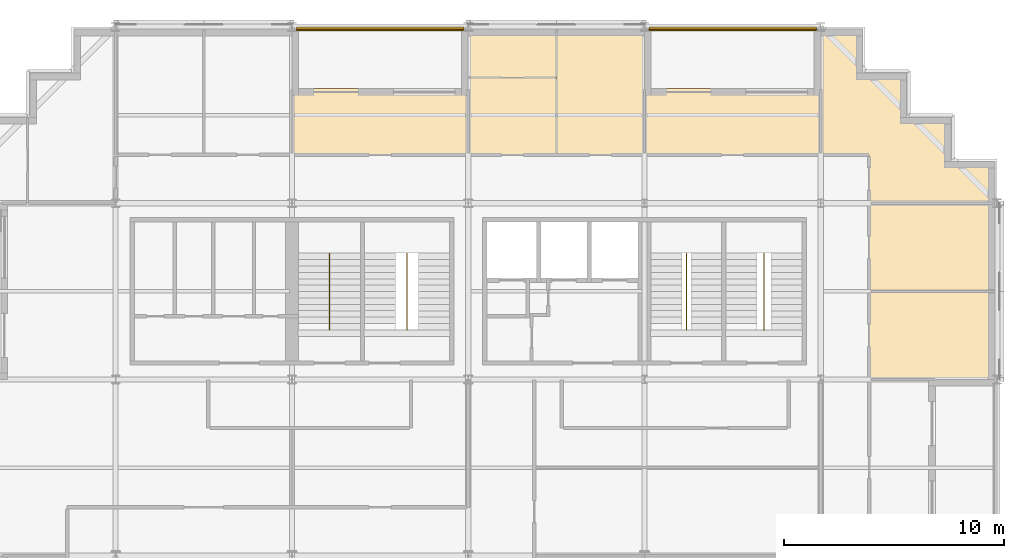
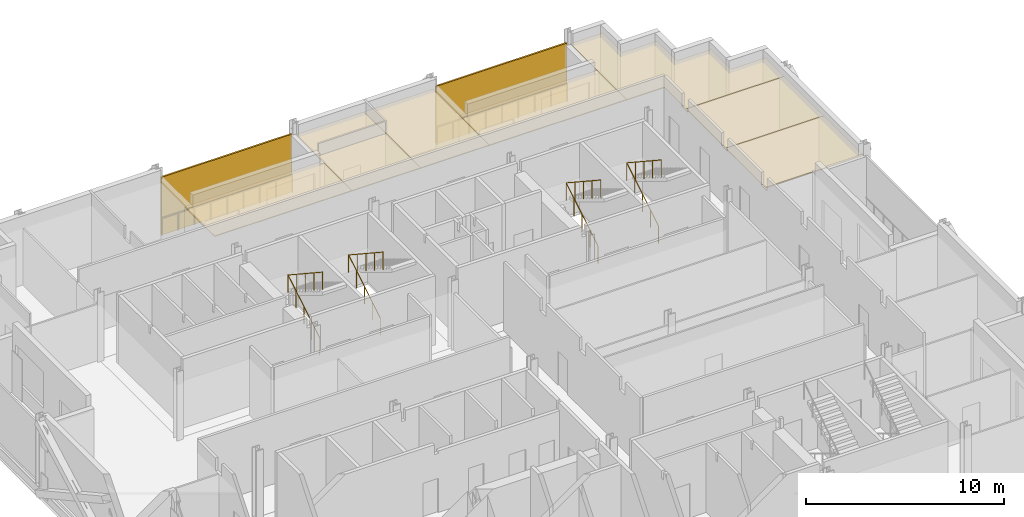
# One storey, part 14 of 14: 8 coverings, 6 railings, 2 shading devices.
"""IFC4 building model written with IfcOpenShell, lengths in metres."""

from ifc_helpers import new_model, si_unit, direction, frame, origin, origin_2d, place, context, subcontext, project, spatial, polyline, rectangle, circle, outline, extrude, material, layer, layer_set, type_object, element, save


model = new_model("IFC4")

# Units and contexts
model_context = context("Model", 3, precision=1e-05, world=origin(), true_north=direction((0.0, 1.0)))
body_context = subcontext(model_context, "Body", "Model", "MODEL_VIEW")
ifc_project = project(units=[si_unit("LENGTHUNIT", "METRE"), si_unit("AREAUNIT", "SQUARE_METRE"), si_unit("VOLUMEUNIT", "CUBIC_METRE"), si_unit("PLANEANGLEUNIT", "RADIAN"), si_unit("MASSUNIT", "GRAM", prefix="KILO")], contexts=[model_context])

# Site, building, storey
site_placement = place(None, origin())
site = spatial("IfcSite", under=ifc_project, at=site_placement, CompositionType="ELEMENT")
building_placement = place(site_placement, origin())
building = spatial("IfcBuilding", under=site, at=building_placement, Name="Immortelle Media Tower", CompositionType="ELEMENT")
storey_placement = place(building_placement, frame((0.0, 0.0, 96.39990234375)))
storey = spatial("IfcBuildingStorey", under=building, at=storey_placement, Name="L18", CompositionType="ELEMENT", Elevation=96.39990234375)

# Railings
ifc_material_1 = material(Name="Powder-coated aluminium fretwork panel, laminated glass backing", Category="aluminium")
railing_type_1 = type_object("IfcRailingType", Name="Fretwork balustrade 1100", PredefinedType="BALUSTRADE", material=ifc_material_1)
railing_1_placement = place(storey_placement, frame((39.8134765625, 47.860107421875, 0.0)))
element("IfcRailing", 1, at=railing_1_placement, inside=storey, type_object=railing_type_1, Name="Fretwork balustrade L18 N0", PredefinedType="BALUSTRADE", context=body_context, shape_type="SweptSolid", body=[
    extrude(circle(Radius=0.02490234375, at=origin_2d()), frame((0.0, 0.0, 1.0751953125), z_axis=(-1.0, 0.0, 0.0), x_axis=(0.0, -1.0, 0.0)), (0.0, 0.0, 1.0), 7.614013671875),
    extrude(circle(Radius=0.02001953125, at=origin_2d()), origin(), (0.0, 0.0, 1.0), 1.050048828125),
    extrude(circle(Radius=0.02001953125, at=origin_2d()), frame((-0.95166015625, 0.0, 0.0)), (0.0, 0.0, 1.0), 1.050048828125),
    extrude(circle(Radius=0.02001953125, at=origin_2d()), frame((-1.903564453125, 0.0, 0.0)), (0.0, 0.0, 1.0), 1.050048828125),
    extrude(circle(Radius=0.02001953125, at=origin_2d()), frame((-2.855224609375, 0.0, 0.0)), (0.0, 0.0, 1.0), 1.050048828125),
    extrude(circle(Radius=0.02001953125, at=origin_2d()), frame((-3.80712890625, 0.0, 0.0)), (0.0, 0.0, 1.0), 1.050048828125),
    extrude(circle(Radius=0.02001953125, at=origin_2d()), frame((-4.7587890625, 0.0, 0.0)), (0.0, 0.0, 1.0), 1.050048828125),
    extrude(circle(Radius=0.02001953125, at=origin_2d()), frame((-5.71044921875, 0.0, 0.0)), (0.0, 0.0, 1.0), 1.050048828125),
    extrude(circle(Radius=0.02001953125, at=origin_2d()), frame((-6.662353515625, 0.0, 0.0)), (0.0, 0.0, 1.0), 1.050048828125),
    extrude(circle(Radius=0.02001953125, at=origin_2d()), frame((-7.614013671875, 0.0, 0.0)), (0.0, 0.0, 1.0), 1.050048828125),
])
railing_2_placement = place(storey_placement, frame((23.800537109375, 47.860107421875, 0.0)))
element("IfcRailing", 2, at=railing_2_placement, inside=storey, type_object=railing_type_1, Name="Fretwork balustrade L18 N2", PredefinedType="BALUSTRADE", context=body_context, shape_type="SweptSolid", body=[
    extrude(circle(Radius=0.02490234375, at=origin_2d()), frame((0.0, 0.0, 1.0751953125), z_axis=(-1.0, 0.0, 0.0), x_axis=(0.0, -1.0, 0.0)), (0.0, 0.0, 1.0), 7.59765625),
    extrude(circle(Radius=0.02001953125, at=origin_2d()), origin(), (0.0, 0.0, 1.0), 1.050048828125),
    extrude(circle(Radius=0.02001953125, at=origin_2d()), frame((-0.94970703125, 0.0, 0.0)), (0.0, 0.0, 1.0), 1.050048828125),
    extrude(circle(Radius=0.02001953125, at=origin_2d()), frame((-1.8994140625, 0.0, 0.0)), (0.0, 0.0, 1.0), 1.050048828125),
    extrude(circle(Radius=0.02001953125, at=origin_2d()), frame((-2.84912109375, 0.0, 0.0)), (0.0, 0.0, 1.0), 1.050048828125),
    extrude(circle(Radius=0.02001953125, at=origin_2d()), frame((-3.798828125, 0.0, 0.0)), (0.0, 0.0, 1.0), 1.050048828125),
    extrude(circle(Radius=0.02001953125, at=origin_2d()), frame((-4.74853515625, 0.0, 0.0)), (0.0, 0.0, 1.0), 1.050048828125),
    extrude(circle(Radius=0.02001953125, at=origin_2d()), frame((-5.6982421875, 0.0, 0.0)), (0.0, 0.0, 1.0), 1.050048828125),
    extrude(circle(Radius=0.02001953125, at=origin_2d()), frame((-6.64794921875, 0.0, 0.0)), (0.0, 0.0, 1.0), 1.050048828125),
    extrude(circle(Radius=0.02001953125, at=origin_2d()), frame((-7.59765625, 0.0, 0.0)), (0.0, 0.0, 1.0), 1.050048828125),
])

# Shading devices
ifc_material_2 = material(Name="Pale aluminium louvre blades", Category="aluminium")
ifc_layer_1 = layer(ifc_material_2, 0.10009765625)
ifc_layer_set_1 = layer_set([ifc_layer_1], Name="Pale aluminium louvre blades")
shading_device_type = type_object("IfcShadingDeviceType", Name="Jalousie screen 100", PredefinedType="JALOUSIE", material=ifc_layer_set_1)
shading_device_1_placement = place(storey_placement, frame((36.006591796875, 47.949951171875, 0.0), z_axis=(0.0, 0.0, 1.0), x_axis=(-1.0, 0.0, 0.0)))
element("IfcShadingDevice", 3, at=shading_device_1_placement, inside=storey, type_object=shading_device_type, Name="Jalousie screen L18 N0", PredefinedType="JALOUSIE", context=body_context, shape_type="SweptSolid", body=[
    extrude(rectangle(XDim=7.614013671875, YDim=0.10009765625, at=origin_2d()), origin(), (0.0, 0.0, 1.0), 3.556884765625),
])
shading_device_2_placement = place(storey_placement, frame((20.001708984375, 47.949951171875, 0.0), z_axis=(0.0, 0.0, 1.0), x_axis=(-1.0, 0.0, 0.0)))
element("IfcShadingDevice", 4, at=shading_device_2_placement, inside=storey, type_object=shading_device_type, Name="Jalousie screen L18 N2", PredefinedType="JALOUSIE", context=body_context, shape_type="SweptSolid", body=[
    extrude(rectangle(XDim=7.597412109375, YDim=0.10009765625, at=origin_2d()), origin(), (0.0, 0.0, 1.0), 3.556884765625),
])

# Railings
ifc_material_3 = material(Name="Stainless steel AISI 316", Category="steel")
railing_type_2 = type_object("IfcRailingType", Name="Stair guard 1100", PredefinedType="GUARDRAIL", material=ifc_material_3)
for number, where, name in (
    (5, (17.699951171875, 34.5400390625, 0.176025390625), "Stair guard NW1"),
    (6, (21.22509765625, 34.5400390625, 0.176025390625), "Stair guard NW2"),
    (7, (33.89990234375, 34.5400390625, 0.176025390625), "Stair guard NE1"),
    (8, (37.425048828125, 34.5400390625, 0.176025390625), "Stair guard NE2"),
):
    element("IfcRailing", number, at=place(storey_placement, frame(where)), inside=storey, type_object=railing_type_2, Name=name, PredefinedType="GUARDRAIL", context=body_context, shape_type="SweptSolid", body=[
        extrude(circle(Radius=0.02392578125, at=origin_2d()), frame((0.0, 0.0, 1.076171875), z_axis=(0.0, 0.854872504309, 0.518838126371), x_axis=(-1.0, 0.0, 0.0)), (0.0, 0.0, 1.0), 3.7314453125),
        extrude(circle(Radius=0.02392578125, at=origin_2d()), frame((0.0, 3.18994140625, 3.01220703125), z_axis=(0.0, -0.835568629342, 0.549386080693), x_axis=(1.0, 0.0, 0.0)), (0.0, 0.0, 1.0), 4.164794921875),
        extrude(circle(Radius=0.02099609375, at=origin_2d()), origin(), (0.0, 0.0, 1.0), 1.052001953125),
        extrude(circle(Radius=0.02099609375, at=origin_2d()), frame((0.0, 0.79736328125, 0.48388671875)), (0.0, 0.0, 1.0), 1.052001953125),
        extrude(circle(Radius=0.02099609375, at=origin_2d()), frame((0.0, 1.594970703125, 0.968017578125)), (0.0, 0.0, 1.0), 1.052001953125),
        extrude(circle(Radius=0.02099609375, at=origin_2d()), frame((0.0, 2.392578125, 1.4521484375)), (0.0, 0.0, 1.0), 1.052001953125),
        extrude(circle(Radius=0.02099609375, at=origin_2d()), frame((0.0, 3.18994140625, 1.93603515625)), (0.0, 0.0, 1.0), 1.052001953125),
        extrude(circle(Radius=0.02099609375, at=origin_2d()), frame((0.0, 2.31982421875, 2.508056640625)), (0.0, 0.0, 1.0), 1.052001953125),
        extrude(circle(Radius=0.02099609375, at=origin_2d()), frame((0.0, 1.449951171875, 3.080078125)), (0.0, 0.0, 1.0), 1.052001953125),
        extrude(circle(Radius=0.02099609375, at=origin_2d()), frame((0.0, 0.580078125, 3.652099609375)), (0.0, 0.0, 1.0), 1.052001953125),
        extrude(circle(Radius=0.02099609375, at=origin_2d()), frame((0.0, -0.2900390625, 4.22412109375)), (0.0, 0.0, 1.0), 1.052001953125),
    ])

# Coverings
ifc_material_4 = material(Name="Mineral fibre tile ceiling")
ifc_layer_2 = layer(ifc_material_4, 0.050048828125)
ifc_layer_set_2 = layer_set([ifc_layer_2], Name="Mineral fibre tile ceiling")
covering_type = type_object("IfcCoveringType", Name="Suspended ceiling 50", PredefinedType="CEILING", material=ifc_layer_set_2)
covering_1_placement = place(storey_placement, frame((0.0, 0.0, 3.420166015625)))
element("IfcCovering", 9, at=covering_1_placement, inside=storey, type_object=covering_type, Name="Ceiling L18-023", PredefinedType="CEILING", context=body_context, shape_type="SweptSolid", body=[
    extrude(outline(polyline([(42.199951171875, 32.0), (42.199951171875, 36.0), (47.89990234375, 36.0), (47.89990234375, 32.0), (45.199951171875, 32.0), (42.199951171875, 32.0)])), origin(), (0.0, 0.0, 1.0), 0.050048828125),
])
covering_2_placement = place(storey_placement, frame((0.0, 0.0, 3.420166015625)))
element("IfcCovering", 10, at=covering_2_placement, inside=storey, type_object=covering_type, Name="Ceiling L18-024", PredefinedType="CEILING", context=body_context, shape_type="SweptSolid", body=[
    extrude(outline(polyline([(42.199951171875, 40.0), (47.89990234375, 40.0), (47.89990234375, 36.0), (42.199951171875, 36.0), (42.199951171875, 40.0)])), origin(), (0.0, 0.0, 1.0), 0.050048828125),
])
covering_3_placement = place(storey_placement, frame((0.0, 0.0, 3.420166015625)))
element("IfcCovering", 11, at=covering_3_placement, inside=storey, type_object=covering_type, Name="Ceiling L18-027", PredefinedType="CEILING", context=body_context, shape_type="SweptSolid", body=[
    extrude(outline(polyline([(42.199951171875, 40.0), (42.199951171875, 42.199951171875), (40.0, 42.199951171875), (40.0, 45.199951171875), (40.0, 47.89990234375), (41.89990234375, 47.89990234375), (41.89990234375, 45.89990234375), (43.89990234375, 45.89990234375), (43.89990234375, 43.89990234375), (45.89990234375, 43.89990234375), (45.89990234375, 41.89990234375), (47.89990234375, 41.89990234375), (47.89990234375, 40.0), (42.199951171875, 40.0)])), origin(), (0.0, 0.0, 1.0), 0.050048828125),
])
covering_4_placement = place(storey_placement, frame((0.0, 0.0, 3.420166015625)))
element("IfcCovering", 12, at=covering_4_placement, inside=storey, type_object=covering_type, Name="Ceiling L18-028", PredefinedType="CEILING", context=body_context, shape_type="SweptSolid", body=[
    extrude(outline(polyline([(16.0, 42.199951171875), (16.0, 45.199951171875), (24.0, 45.199951171875), (24.0, 42.199951171875), (16.0, 42.199951171875)])), origin(), (0.0, 0.0, 1.0), 0.050048828125),
])
covering_5_placement = place(storey_placement, frame((0.0, 0.0, 3.420166015625)))
element("IfcCovering", 13, at=covering_5_placement, inside=storey, type_object=covering_type, Name="Ceiling L18-029", PredefinedType="CEILING", context=body_context, shape_type="SweptSolid", body=[
    extrude(outline(polyline([(32.0, 42.199951171875), (32.0, 45.199951171875), (40.0, 45.199951171875), (40.0, 42.199951171875), (32.0, 42.199951171875)])), origin(), (0.0, 0.0, 1.0), 0.050048828125),
])
covering_6_placement = place(storey_placement, frame((0.0, 0.0, 3.420166015625)))
element("IfcCovering", 14, at=covering_6_placement, inside=storey, type_object=covering_type, Name="Ceiling L18-032", PredefinedType="CEILING", context=body_context, shape_type="SweptSolid", body=[
    extrude(outline(polyline([(24.0, 45.699951171875), (28.0, 45.699951171875), (28.0, 42.199951171875), (24.0, 42.199951171875), (24.0, 45.199951171875), (24.0, 45.699951171875)])), origin(), (0.0, 0.0, 1.0), 0.050048828125),
])
covering_7_placement = place(storey_placement, frame((0.0, 0.0, 3.420166015625)))
element("IfcCovering", 15, at=covering_7_placement, inside=storey, type_object=covering_type, Name="Ceiling L18-033", PredefinedType="CEILING", context=body_context, shape_type="SweptSolid", body=[
    extrude(outline(polyline([(24.0, 47.89990234375), (28.0, 47.89990234375), (28.0, 45.699951171875), (24.0, 45.699951171875), (24.0, 47.89990234375)])), origin(), (0.0, 0.0, 1.0), 0.050048828125),
])
covering_8_placement = place(storey_placement, frame((0.0, 0.0, 3.420166015625)))
element("IfcCovering", 16, at=covering_8_placement, inside=storey, type_object=covering_type, Name="Ceiling L18-034", PredefinedType="CEILING", context=body_context, shape_type="SweptSolid", body=[
    extrude(outline(polyline([(32.0, 47.89990234375), (32.0, 45.199951171875), (32.0, 42.199951171875), (28.0, 42.199951171875), (28.0, 47.89990234375), (32.0, 47.89990234375)])), origin(), (0.0, 0.0, 1.0), 0.050048828125),
])

save(model, "model.ifc")
